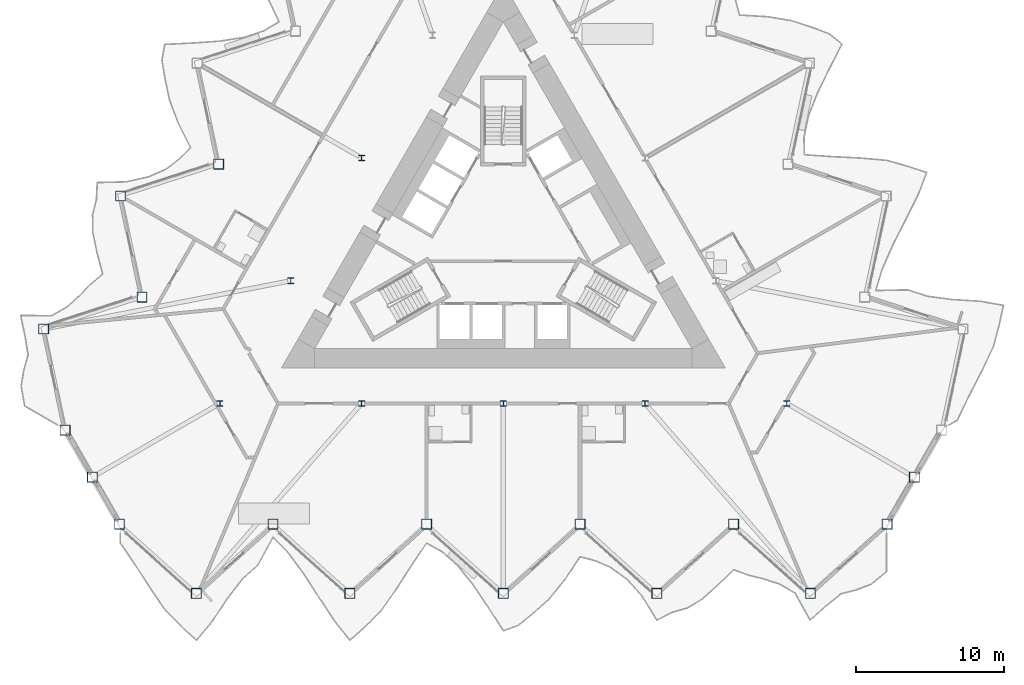
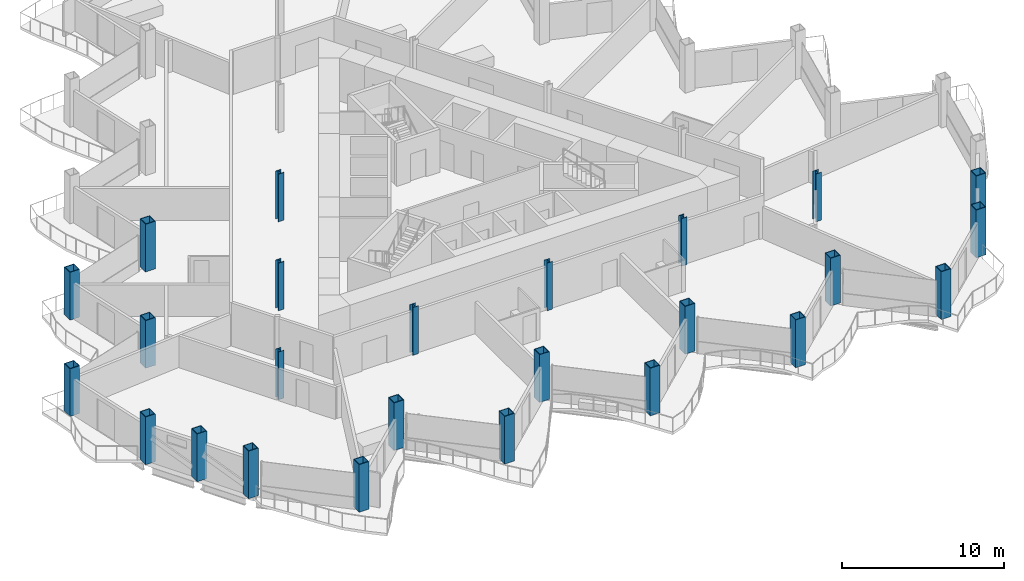
# One storey, part 1 of 23: 25 columns.
"""IFC4 building model written with IfcOpenShell, lengths in metres."""

from ifc_helpers import new_model, si_unit, direction, frame, origin, origin_2d, place, context, subcontext, project, spatial, hollow_rectangle, i_section, extrude, material, material_profile, profile_set, type_object, element, save


model = new_model("IFC4")

# Units and contexts
model_context = context("Model", 3, precision=1e-05, world=origin(), true_north=direction((0.0, 1.0)))
body_context = subcontext(model_context, "Body", "Model", "MODEL_VIEW")
ifc_project = project(units=[si_unit("LENGTHUNIT", "METRE"), si_unit("AREAUNIT", "SQUARE_METRE"), si_unit("VOLUMEUNIT", "CUBIC_METRE"), si_unit("PLANEANGLEUNIT", "RADIAN"), si_unit("MASSUNIT", "GRAM", prefix="KILO")], contexts=[model_context])

# Site, building, storey
site_placement = place(None, origin())
site = spatial("IfcSite", under=ifc_project, at=site_placement, CompositionType="ELEMENT")
building_placement = place(site_placement, origin())
building = spatial("IfcBuilding", under=site, at=building_placement, Name="Cormorant Prow Tower", CompositionType="ELEMENT")
storey_placement = place(building_placement, frame((0.0, 0.0, 263.39990234375)))
storey = spatial("IfcBuildingStorey", under=building, at=storey_placement, Name="L59", CompositionType="ELEMENT", Elevation=263.39990234375)

# Columns
ifc_material_1 = material(Name="Structural steel ASTM A572 Gr 50", Category="steel")
ifc_material_profile_1 = material_profile(ifc_material_1, hollow_rectangle(XDim=0.699951171875, YDim=0.699951171875, WallThickness=0.044921875, at=origin_2d()), Name="Box 700x700x45")
ifc_profile_set_1 = profile_set([ifc_material_profile_1], Name="Structural steel ASTM A572 Gr 50")
column_type_1 = type_object("IfcColumnType", Name="Perimeter box column 700x700x45", PredefinedType="COLUMN", material=ifc_profile_set_1)
for number, where, z_axis, x_axis, name in (
    (1, (-25.941162109375, -19.21533203125, 0.0), (0.0, 0.0, 1.0), (1.0, 0.0, 0.0), "Perimeter column C5 at S00 L59"),
    (2, (-20.7529296875, -23.886962890625, 0.0), (0.0, 0.0, 1.0), (1.0, 0.0, 0.0), "Perimeter column C5 at S01 L59"),
    (3, (-15.564697265625, -19.21533203125, 0.0), (0.0, 0.0, 1.0), (1.0, 0.0, 0.0), "Perimeter column C5 at S02 L59"),
    (4, (-10.37646484375, -23.886962890625, 0.0), (0.0, 0.0, 1.0), (1.0, 0.0, 0.0), "Perimeter column C5 at S03 L59"),
    (5, (-5.188232421875, -19.21533203125, 0.0), (0.0, 0.0, 1.0), (1.0, 0.0, 0.0), "Perimeter column C5 at S04 L59"),
    (6, (0.0, -23.886962890625, 0.0), (0.0, 0.0, 1.0), (1.0, 0.0, 0.0), "Perimeter column C5 at S05 L59"),
    (7, (5.188232421875, -19.21533203125, 0.0), (0.0, 0.0, 1.0), (1.0, 0.0, 0.0), "Perimeter column C5 at S06 L59"),
    (8, (10.37646484375, -23.886962890625, 0.0), (0.0, 0.0, 1.0), (1.0, 0.0, 0.0), "Perimeter column C5 at S07 L59"),
    (9, (15.564697265625, -19.21533203125, 0.0), (0.0, 0.0, 1.0), (1.0, 0.0, 0.0), "Perimeter column C5 at S08 L59"),
    (10, (20.7529296875, -23.886962890625, 0.0), (0.0, 0.0, 1.0), (1.0, 0.0, 0.0), "Perimeter column C5 at S09 L59"),
    (11, (25.941162109375, -19.21533203125, 0.0), (0.0, 0.0, 1.0), (1.0, 0.0, 0.0), "Perimeter column C5 at ESE00 L59"),
    (12, (27.7763671875, -16.03662109375, 0.0), (0.0, 0.0, 1.0), (1.0, 0.0, 0.0), "Perimeter column C5 at ESE01 L59"),
    (13, (-19.235107421875, 5.114501953125, 0.0), (0.0, 0.0, 1.0), (1.0, 0.0, 0.0), "Perimeter column C5 at WNW06 L59"),
    (14, (-25.875, 2.957275390625, 0.0), (0.0, 0.0, 1.0), (1.0, 0.0, 0.0), "Perimeter column C5 at WNW07 L59"),
    (15, (-24.42333984375, -3.871826171875, 0.0), (0.0, 0.0, 1.0), (1.0, 0.0, 0.0), "Perimeter column C5 at WNW08 L59"),
    (16, (-31.063232421875, -6.029052734375, 0.0), (0.0, 0.0, 1.0), (1.0, 0.0, 0.0), "Perimeter column C5 at WNW09 L59"),
    (17, (-29.611572265625, -12.858154296875, 0.0), (0.0, 0.0, 1.0), (1.0, 0.0, 0.0), "Perimeter column C5 at WSW00 L59"),
    (18, (-27.7763671875, -16.03662109375, 0.0), (0.0, 0.0, 1.0), (1.0, 0.0, 0.0), "Perimeter column C5 at WSW01 L59"),
):
    element("IfcColumn", number, at=place(storey_placement, frame(where, z_axis=z_axis, x_axis=x_axis)), inside=storey, type_object=column_type_1, Name=name, PredefinedType="COLUMN", context=body_context, shape_type="SweptSolid", body=[
        extrude(hollow_rectangle(XDim=0.699951171875, YDim=0.699951171875, WallThickness=0.044921875, at=origin_2d()), origin(), (0.0, 0.0, 1.0), 3.60009765625),
    ])
ifc_material_2 = material(Name="Structural steel ASTM A992 Gr 50", Category="steel")
ifc_material_profile_2 = material_profile(ifc_material_2, i_section(OverallWidth=0.39892578125, OverallDepth=0.393310546875, WebThickness=0.022705078125, FlangeThickness=0.03662109375, at=origin_2d()), Name="W14x193")
ifc_profile_set_2 = profile_set([ifc_material_profile_2], Name="Structural steel ASTM A992 Gr 50")
column_type_2 = type_object("IfcColumnType", Name="Ring column W14x193", PredefinedType="COLUMN", material=ifc_profile_set_2)
for number, where, z_axis, x_axis, name in (
    (19, (-9.578369140625, 5.530029296875, 0.0), (0.0, 0.0, 1.0), (1.0, 0.0, 0.0), "Ring column 3 L59"),
    (20, (-14.36767578125, -2.76513671875, 0.0), (0.0, 0.0, 1.0), (1.0, 0.0, 0.0), "Ring column 4 L59"),
    (21, (-19.156982421875, -11.060302734375, 0.0), (0.0, 0.0, 1.0), (1.0, 0.0, 0.0), "Ring column 5 L59"),
    (22, (-9.578369140625, -11.060302734375, 0.0), (0.0, 0.0, 1.0), (1.0, 0.0, 0.0), "Ring column 6 L59"),
    (23, (0.0, -11.060302734375, 0.0), (0.0, 0.0, 1.0), (1.0, 0.0, 0.0), "Ring column 7 L59"),
    (24, (9.578369140625, -11.060302734375, 0.0), (0.0, 0.0, 1.0), (1.0, 0.0, 0.0), "Ring column 8 L59"),
    (25, (19.156982421875, -11.060302734375, 0.0), (0.0, 0.0, 1.0), (1.0, 0.0, 0.0), "Ring column 9 L59"),
):
    element("IfcColumn", number, at=place(storey_placement, frame(where, z_axis=z_axis, x_axis=x_axis)), inside=storey, type_object=column_type_2, Name=name, PredefinedType="COLUMN", context=body_context, shape_type="SweptSolid", body=[
        extrude(i_section(OverallWidth=0.39892578125, OverallDepth=0.393310546875, WebThickness=0.022705078125, FlangeThickness=0.03662109375, at=origin_2d()), origin(), (0.0, 0.0, 1.0), 3.60009765625),
    ])

save(model, "model.ifc")
